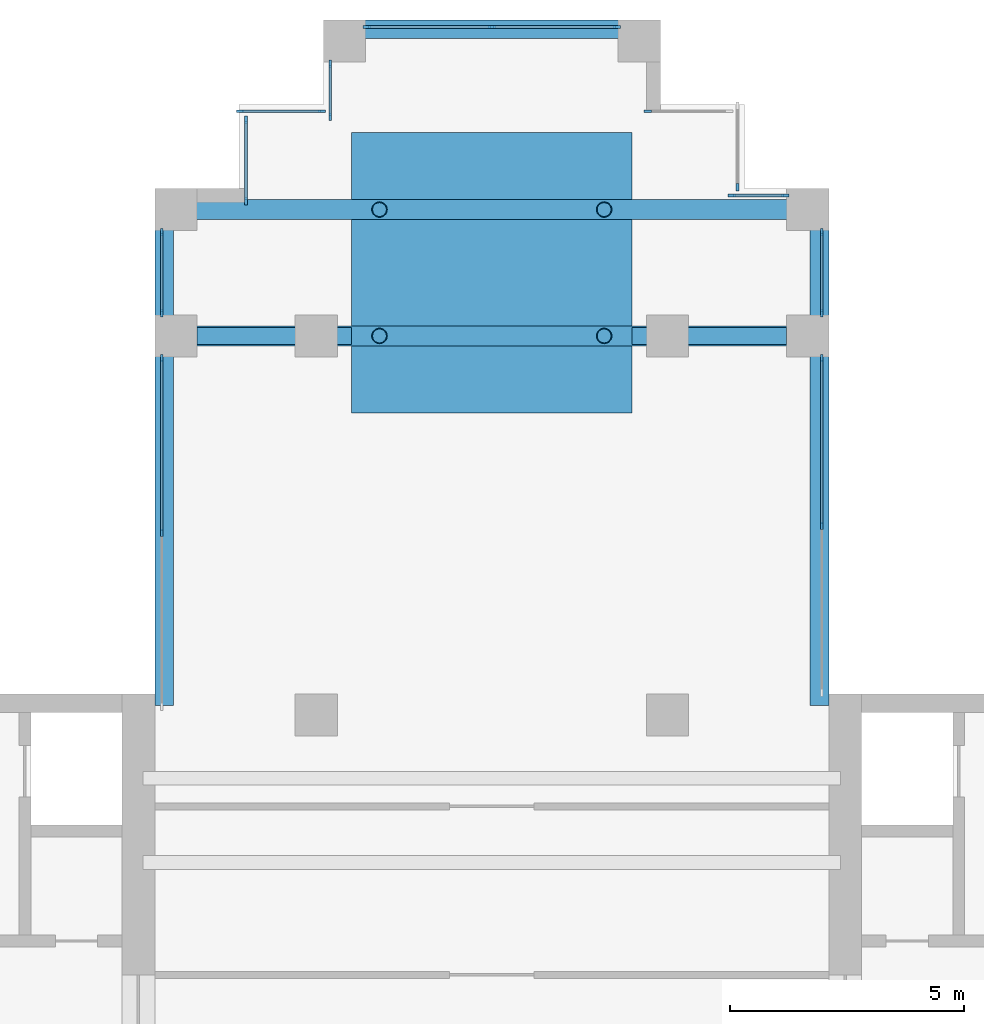
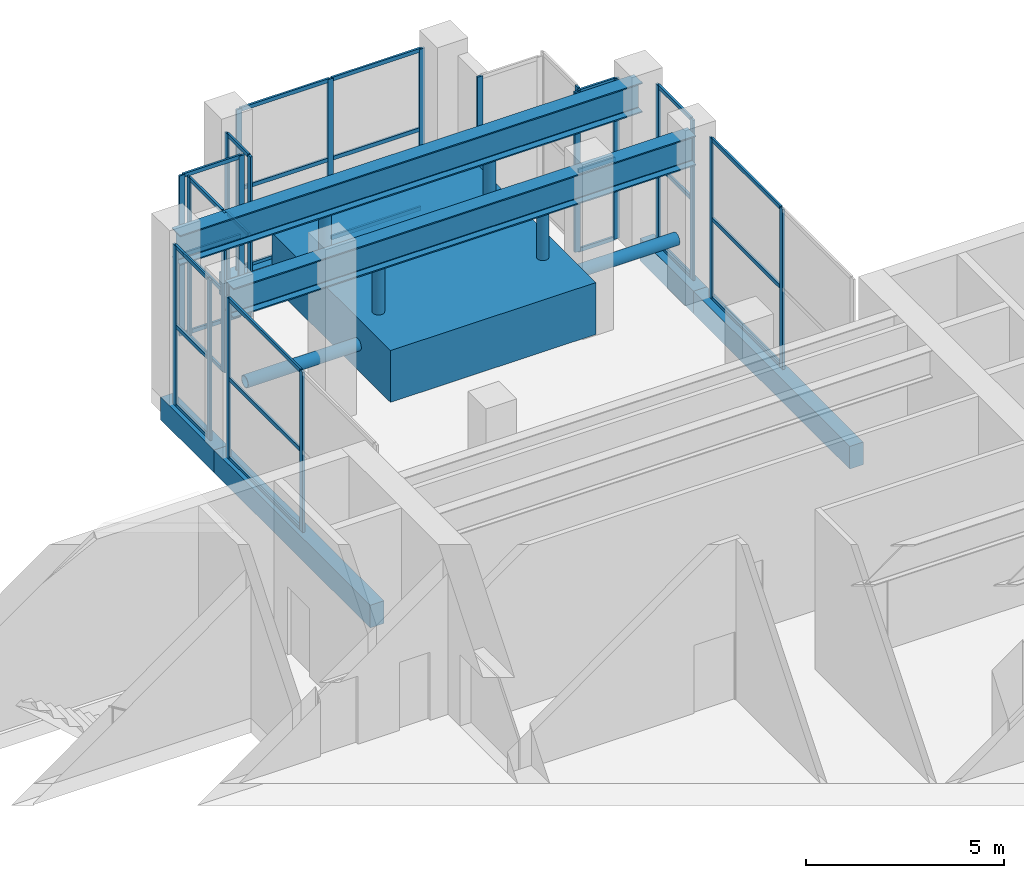
# One storey, part 6 of 13: 58 members, 7 beams, 11 elements without a shape of their own.
"""IFC4 building model written with IfcOpenShell, lengths in metres."""

from ifc_helpers import new_model, si_unit, direction, frame, origin, origin_2d, place, context, subcontext, project, spatial, rectangle, hollow_circle, i_section, extrude, material, material_profile, profile_set, type_object, element, aggregate, save


model = new_model("IFC4")

# Units and contexts
model_context = context("Model", 3, precision=1e-05, world=origin(), true_north=direction((0.0, 1.0)))
body_context = subcontext(model_context, "Body", "Model", "MODEL_VIEW")
ifc_project = project(units=[si_unit("LENGTHUNIT", "METRE"), si_unit("AREAUNIT", "SQUARE_METRE"), si_unit("VOLUMEUNIT", "CUBIC_METRE"), si_unit("PLANEANGLEUNIT", "RADIAN"), si_unit("MASSUNIT", "GRAM", prefix="KILO")], contexts=[model_context])

# Site, building, storey
site_placement = place(None, origin())
site = spatial("IfcSite", under=ifc_project, at=site_placement, CompositionType="ELEMENT")
building_placement = place(site_placement, origin())
building = spatial("IfcBuilding", under=site, at=building_placement, Name="Fustian Cross Tower", CompositionType="ELEMENT")
storey_placement = place(building_placement, frame((0.0, 0.0, 242.10009765625)))
storey = spatial("IfcBuildingStorey", under=building, at=storey_placement, Name="L76", CompositionType="ELEMENT", Elevation=242.10009765625)

# Curtain wall, members
ifc_material_1 = material(Name="Glass", Category="glass")
curtain_wall_type = type_object("IfcCurtainWallType", Name="CW5 CURTAIN WALL", PredefinedType="NOTDEFINED", material=ifc_material_1)
curtain_wall_1_placement = place(storey_placement, origin())
curtain_wall_1 = element("IfcCurtainWall", 1, at=curtain_wall_1_placement, inside=storey, type_object=curtain_wall_type, Name="Curtain wall CW5", PredefinedType="NOTDEFINED")
ifc_material_2 = material(Name="Aluminium alloy 6063", Category="aluminium")
ifc_material_profile_1 = material_profile(ifc_material_2, rectangle(XDim=0.06005859375, YDim=0.159912109375, at=origin_2d()), Name="CW5 MULLION 60x160")
ifc_profile_set_1 = profile_set([ifc_material_profile_1], Name="Aluminium alloy 6063")
member_type_1 = type_object("IfcMemberType", Name="CW5 MULLION 60x160", PredefinedType="MULLION", material=ifc_profile_set_1)
member_1_placement = place(storey_placement, frame((7.050048828125, 10.800048828125, 0.0), z_axis=(0.0, 0.0, 1.0), x_axis=(-1.0, 0.0, 0.0)))
member_1 = element("IfcMember", 2, at=member_1_placement, type_object=member_type_1, Name="CW5 mullion 2", PredefinedType="MULLION", context=body_context, shape_type="SweptSolid", body=[
    extrude(rectangle(XDim=0.06005859375, YDim=0.159912109375, at=origin_2d()), origin(), (0.0, 0.0, 1.0), 4.949951171875),
])
member_2_placement = place(storey_placement, frame((7.050048828125, 14.3701171875, 0.0), z_axis=(0.0, 0.0, 1.0), x_axis=(-1.0, 0.0, 0.0)))
member_2 = element("IfcMember", 3, at=member_2_placement, type_object=member_type_1, Name="CW5 mullion 3", PredefinedType="MULLION", context=body_context, shape_type="SweptSolid", body=[
    extrude(rectangle(XDim=0.06005859375, YDim=0.159912109375, at=origin_2d()), origin(), (0.0, 0.0, 1.0), 4.949951171875),
])

curtain_wall_2_placement = place(storey_placement, origin())
curtain_wall_2 = element("IfcCurtainWall", 4, at=curtain_wall_2_placement, inside=storey, type_object=curtain_wall_type, Name="Curtain wall CW5", PredefinedType="NOTDEFINED")
member_3_placement = place(storey_placement, frame((7.050048828125, 15.330078125, 0.0), z_axis=(0.0, 0.0, 1.0), x_axis=(-1.0, 0.0, 0.0)))
member_3 = element("IfcMember", 5, at=member_3_placement, type_object=member_type_1, Name="CW5 mullion 1", PredefinedType="MULLION", context=body_context, shape_type="SweptSolid", body=[
    extrude(rectangle(XDim=0.06005859375, YDim=0.159912109375, at=origin_2d()), origin(), (0.0, 0.0, 1.0), 4.949951171875),
])
member_4_placement = place(storey_placement, frame((7.050048828125, 17.070068359375, 0.0), z_axis=(0.0, 0.0, 1.0), x_axis=(-1.0, 0.0, 0.0)))
member_4 = element("IfcMember", 6, at=member_4_placement, type_object=member_type_1, Name="CW5 mullion 2", PredefinedType="MULLION", context=body_context, shape_type="SweptSolid", body=[
    extrude(rectangle(XDim=0.06005859375, YDim=0.159912109375, at=origin_2d()), origin(), (0.0, 0.0, 1.0), 4.949951171875),
])

curtain_wall_3_placement = place(storey_placement, origin())
curtain_wall_3 = element("IfcCurtainWall", 7, at=curtain_wall_3_placement, inside=storey, type_object=curtain_wall_type, Name="Curtain wall CW5", PredefinedType="NOTDEFINED")
member_5_placement = place(storey_placement, frame((6.27001953125, 17.85009765625, 0.0), z_axis=(0.0, 0.0, 1.0), x_axis=(0.0, -1.0, 0.0)))
member_5 = element("IfcMember", 8, at=member_5_placement, type_object=member_type_1, Name="CW5 mullion 1", PredefinedType="MULLION", context=body_context, shape_type="SweptSolid", body=[
    extrude(rectangle(XDim=0.06005859375, YDim=0.159912109375, at=origin_2d()), origin(), (0.0, 0.0, 1.0), 4.949951171875),
])
member_6_placement = place(storey_placement, frame((5.1298828125, 17.85009765625, 0.0), z_axis=(0.0, 0.0, 1.0), x_axis=(0.0, -1.0, 0.0)))
member_6 = element("IfcMember", 9, at=member_6_placement, type_object=member_type_1, Name="CW5 mullion 2", PredefinedType="MULLION", context=body_context, shape_type="SweptSolid", body=[
    extrude(rectangle(XDim=0.06005859375, YDim=0.159912109375, at=origin_2d()), origin(), (0.0, 0.0, 1.0), 4.949951171875),
])

# Curtain wall, member
curtain_wall_4_placement = place(storey_placement, origin())
curtain_wall_4 = element("IfcCurtainWall", 10, at=curtain_wall_4_placement, inside=storey, type_object=curtain_wall_type, Name="Curtain wall CW5", PredefinedType="NOTDEFINED")
member_7_placement = place(storey_placement, frame((5.25, 18.030029296875, 0.0), z_axis=(0.0, 0.0, 1.0), x_axis=(-1.0, 0.0, 0.0)))
member_7 = element("IfcMember", 11, at=member_7_placement, type_object=member_type_1, Name="CW5 mullion 1", PredefinedType="MULLION", context=body_context, shape_type="SweptSolid", body=[
    extrude(rectangle(XDim=0.06005859375, YDim=0.159912109375, at=origin_2d()), origin(), (0.0, 0.0, 1.0), 4.949951171875),
])
aggregate(curtain_wall_4, [member_7])

curtain_wall_5_placement = place(storey_placement, origin())
curtain_wall_5 = element("IfcCurtainWall", 12, at=curtain_wall_5_placement, inside=storey, type_object=curtain_wall_type, Name="Curtain wall CW5", PredefinedType="NOTDEFINED")
member_8_placement = place(storey_placement, frame((3.330078125, 19.64990234375, 0.0), z_axis=(0.0, 0.0, 1.0), x_axis=(0.0, -1.0, 0.0)))
member_8 = element("IfcMember", 13, at=member_8_placement, type_object=member_type_1, Name="CW5 mullion 2", PredefinedType="MULLION", context=body_context, shape_type="SweptSolid", body=[
    extrude(rectangle(XDim=0.06005859375, YDim=0.159912109375, at=origin_2d()), origin(), (0.0, 0.0, 1.0), 4.949951171875),
])
aggregate(curtain_wall_5, [member_8])

# Curtain wall, members
curtain_wall_6_placement = place(storey_placement, origin())
curtain_wall_6 = element("IfcCurtainWall", 14, at=curtain_wall_6_placement, inside=storey, type_object=curtain_wall_type, Name="Curtain wall CW5", PredefinedType="NOTDEFINED")
member_9_placement = place(storey_placement, frame((2.669921875, 21.449951171875, 0.0), z_axis=(0.0, 0.0, 1.0), x_axis=(0.0, -1.0, 0.0)))
member_9 = element("IfcMember", 15, at=member_9_placement, type_object=member_type_1, Name="CW5 mullion 1", PredefinedType="MULLION", context=body_context, shape_type="SweptSolid", body=[
    extrude(rectangle(XDim=0.06005859375, YDim=0.159912109375, at=origin_2d()), origin(), (0.0, 0.0, 1.0), 4.949951171875),
])
member_10_placement = place(storey_placement, frame((0.0, 21.449951171875, 0.0), z_axis=(0.0, 0.0, 1.0), x_axis=(0.0, -1.0, 0.0)))
member_10 = element("IfcMember", 16, at=member_10_placement, type_object=member_type_1, Name="CW5 mullion 2", PredefinedType="MULLION", context=body_context, shape_type="SweptSolid", body=[
    extrude(rectangle(XDim=0.06005859375, YDim=0.159912109375, at=origin_2d()), origin(), (0.0, 0.0, 1.0), 4.949951171875),
])
member_11_placement = place(storey_placement, frame((-2.669921875, 21.449951171875, 0.0), z_axis=(0.0, 0.0, 1.0), x_axis=(0.0, -1.0, 0.0)))
member_11 = element("IfcMember", 17, at=member_11_placement, type_object=member_type_1, Name="CW5 mullion 3", PredefinedType="MULLION", context=body_context, shape_type="SweptSolid", body=[
    extrude(rectangle(XDim=0.06005859375, YDim=0.159912109375, at=origin_2d()), origin(), (0.0, 0.0, 1.0), 4.949951171875),
])

curtain_wall_7_placement = place(storey_placement, origin())
curtain_wall_7 = element("IfcCurtainWall", 18, at=curtain_wall_7_placement, inside=storey, type_object=curtain_wall_type, Name="Curtain wall CW5", PredefinedType="NOTDEFINED")
member_12_placement = place(storey_placement, frame((-3.449951171875, 20.669921875, 0.0), z_axis=(0.0, 0.0, 1.0), x_axis=(1.0, 0.0, 0.0)))
member_12 = element("IfcMember", 19, at=member_12_placement, type_object=member_type_1, Name="CW5 mullion 1", PredefinedType="MULLION", context=body_context, shape_type="SweptSolid", body=[
    extrude(rectangle(XDim=0.06005859375, YDim=0.159912109375, at=origin_2d()), origin(), (0.0, 0.0, 1.0), 4.949951171875),
])
member_13_placement = place(storey_placement, frame((-3.449951171875, 19.530029296875, 0.0), z_axis=(0.0, 0.0, 1.0), x_axis=(1.0, 0.0, 0.0)))
member_13 = element("IfcMember", 20, at=member_13_placement, type_object=member_type_1, Name="CW5 mullion 2", PredefinedType="MULLION", context=body_context, shape_type="SweptSolid", body=[
    extrude(rectangle(XDim=0.06005859375, YDim=0.159912109375, at=origin_2d()), origin(), (0.0, 0.0, 1.0), 4.949951171875),
])

curtain_wall_8_placement = place(storey_placement, origin())
curtain_wall_8 = element("IfcCurtainWall", 21, at=curtain_wall_8_placement, inside=storey, type_object=curtain_wall_type, Name="Curtain wall CW5", PredefinedType="NOTDEFINED")
member_14_placement = place(storey_placement, frame((-3.6298828125, 19.64990234375, 0.0), z_axis=(0.0, 0.0, 1.0), x_axis=(0.0, -1.0, 0.0)))
member_14 = element("IfcMember", 22, at=member_14_placement, type_object=member_type_1, Name="CW5 mullion 1", PredefinedType="MULLION", context=body_context, shape_type="SweptSolid", body=[
    extrude(rectangle(XDim=0.06005859375, YDim=0.159912109375, at=origin_2d()), origin(), (0.0, 0.0, 1.0), 4.949951171875),
])
member_15_placement = place(storey_placement, frame((-5.3701171875, 19.64990234375, 0.0), z_axis=(0.0, 0.0, 1.0), x_axis=(0.0, -1.0, 0.0)))
member_15 = element("IfcMember", 23, at=member_15_placement, type_object=member_type_1, Name="CW5 mullion 2", PredefinedType="MULLION", context=body_context, shape_type="SweptSolid", body=[
    extrude(rectangle(XDim=0.06005859375, YDim=0.159912109375, at=origin_2d()), origin(), (0.0, 0.0, 1.0), 4.949951171875),
])

curtain_wall_9_placement = place(storey_placement, origin())
curtain_wall_9 = element("IfcCurtainWall", 24, at=curtain_wall_9_placement, inside=storey, type_object=curtain_wall_type, Name="Curtain wall CW5", PredefinedType="NOTDEFINED")
member_16_placement = place(storey_placement, frame((-5.25, 19.469970703125, 0.0), z_axis=(0.0, 0.0, 1.0), x_axis=(1.0, 0.0, 0.0)))
member_16 = element("IfcMember", 25, at=member_16_placement, type_object=member_type_1, Name="CW5 mullion 1", PredefinedType="MULLION", context=body_context, shape_type="SweptSolid", body=[
    extrude(rectangle(XDim=0.06005859375, YDim=0.159912109375, at=origin_2d()), origin(), (0.0, 0.0, 1.0), 4.949951171875),
])
member_17_placement = place(storey_placement, frame((-5.25, 17.72998046875, 0.0), z_axis=(0.0, 0.0, 1.0), x_axis=(1.0, 0.0, 0.0)))
member_17 = element("IfcMember", 26, at=member_17_placement, type_object=member_type_1, Name="CW5 mullion 2", PredefinedType="MULLION", context=body_context, shape_type="SweptSolid", body=[
    extrude(rectangle(XDim=0.06005859375, YDim=0.159912109375, at=origin_2d()), origin(), (0.0, 0.0, 1.0), 4.949951171875),
])

curtain_wall_10_placement = place(storey_placement, origin())
curtain_wall_10 = element("IfcCurtainWall", 27, at=curtain_wall_10_placement, inside=storey, type_object=curtain_wall_type, Name="Curtain wall CW5", PredefinedType="NOTDEFINED")
member_18_placement = place(storey_placement, frame((-7.050048828125, 17.070068359375, 0.0), z_axis=(0.0, 0.0, 1.0), x_axis=(1.0, 0.0, 0.0)))
member_18 = element("IfcMember", 28, at=member_18_placement, type_object=member_type_1, Name="CW5 mullion 1", PredefinedType="MULLION", context=body_context, shape_type="SweptSolid", body=[
    extrude(rectangle(XDim=0.06005859375, YDim=0.159912109375, at=origin_2d()), origin(), (0.0, 0.0, 1.0), 4.949951171875),
])
member_19_placement = place(storey_placement, frame((-7.050048828125, 15.330078125, 0.0), z_axis=(0.0, 0.0, 1.0), x_axis=(1.0, 0.0, 0.0)))
member_19 = element("IfcMember", 29, at=member_19_placement, type_object=member_type_1, Name="CW5 mullion 2", PredefinedType="MULLION", context=body_context, shape_type="SweptSolid", body=[
    extrude(rectangle(XDim=0.06005859375, YDim=0.159912109375, at=origin_2d()), origin(), (0.0, 0.0, 1.0), 4.949951171875),
])

curtain_wall_11_placement = place(storey_placement, origin())
curtain_wall_11 = element("IfcCurtainWall", 30, at=curtain_wall_11_placement, inside=storey, type_object=curtain_wall_type, Name="Curtain wall CW5", PredefinedType="NOTDEFINED")
member_20_placement = place(storey_placement, frame((-7.050048828125, 14.3701171875, 0.0), z_axis=(0.0, 0.0, 1.0), x_axis=(1.0, 0.0, 0.0)))
member_20 = element("IfcMember", 31, at=member_20_placement, type_object=member_type_1, Name="CW5 mullion 1", PredefinedType="MULLION", context=body_context, shape_type="SweptSolid", body=[
    extrude(rectangle(XDim=0.06005859375, YDim=0.159912109375, at=origin_2d()), origin(), (0.0, 0.0, 1.0), 4.949951171875),
])
member_21_placement = place(storey_placement, frame((-7.050048828125, 10.64990234375, 0.0), z_axis=(0.0, 0.0, 1.0), x_axis=(1.0, 0.0, 0.0)))
member_21 = element("IfcMember", 32, at=member_21_placement, type_object=member_type_1, Name="CW5 mullion 2", PredefinedType="MULLION", context=body_context, shape_type="SweptSolid", body=[
    extrude(rectangle(XDim=0.06005859375, YDim=0.159912109375, at=origin_2d()), origin(), (0.0, 0.0, 1.0), 4.949951171875),
])

# Member
ifc_material_3 = material(Name="Aluminium alloy 6063", Category="aluminium")
ifc_material_profile_2 = material_profile(ifc_material_3, rectangle(XDim=0.06005859375, YDim=0.1201171875, at=origin_2d()), Name="CW5 TRANSOM 60x120")
ifc_profile_set_2 = profile_set([ifc_material_profile_2], Name="Aluminium alloy 6063")
member_type_2 = type_object("IfcMemberType", Name="CW5 TRANSOM 60x120", PredefinedType="USERDEFINED", material=ifc_profile_set_2)
member_22_placement = place(storey_placement, frame((7.050048828125, 10.830078125, 0.02978515625), z_axis=(0.0, 1.0, 0.0), x_axis=(-1.0, 0.0, 0.0)))
member_22 = element("IfcMember", 33, at=member_22_placement, type_object=member_type_2, Name="CW5 transom 2.1", ObjectType="TRANSOM", PredefinedType="USERDEFINED", context=body_context, shape_type="SweptSolid", body=[
    extrude(rectangle(XDim=0.06005859375, YDim=0.1201171875, at=origin_2d()), origin(), (0.0, 0.0, 1.0), 3.510009765625),
])

member_23_placement = place(storey_placement, frame((7.050048828125, 10.830078125, 2.474853515625), z_axis=(0.0, 1.0, 0.0), x_axis=(-1.0, 0.0, 0.0)))
member_23 = element("IfcMember", 34, at=member_23_placement, type_object=member_type_2, Name="CW5 transom 2.2", ObjectType="TRANSOM", PredefinedType="USERDEFINED", context=body_context, shape_type="SweptSolid", body=[
    extrude(rectangle(XDim=0.06005859375, YDim=0.1201171875, at=origin_2d()), origin(), (0.0, 0.0, 1.0), 3.510009765625),
])

member_24_placement = place(storey_placement, frame((7.050048828125, 10.830078125, 4.919921875), z_axis=(0.0, 1.0, 0.0), x_axis=(-1.0, 0.0, 0.0)))
member_24 = element("IfcMember", 35, at=member_24_placement, type_object=member_type_2, Name="CW5 transom 2.3", ObjectType="TRANSOM", PredefinedType="USERDEFINED", context=body_context, shape_type="SweptSolid", body=[
    extrude(rectangle(XDim=0.06005859375, YDim=0.1201171875, at=origin_2d()), origin(), (0.0, 0.0, 1.0), 3.510009765625),
])

aggregate(curtain_wall_1, [member_1, member_2, member_22, member_23, member_24])

member_25_placement = place(storey_placement, frame((7.050048828125, 15.360107421875, 0.02978515625), z_axis=(0.0, 1.0, 0.0), x_axis=(-1.0, 0.0, 0.0)))
member_25 = element("IfcMember", 36, at=member_25_placement, type_object=member_type_2, Name="CW5 transom 1.1", ObjectType="TRANSOM", PredefinedType="USERDEFINED", context=body_context, shape_type="SweptSolid", body=[
    extrude(rectangle(XDim=0.06005859375, YDim=0.1201171875, at=origin_2d()), origin(), (0.0, 0.0, 1.0), 1.679931640625),
])

member_26_placement = place(storey_placement, frame((7.050048828125, 15.360107421875, 2.474853515625), z_axis=(0.0, 1.0, 0.0), x_axis=(-1.0, 0.0, 0.0)))
member_26 = element("IfcMember", 37, at=member_26_placement, type_object=member_type_2, Name="CW5 transom 1.2", ObjectType="TRANSOM", PredefinedType="USERDEFINED", context=body_context, shape_type="SweptSolid", body=[
    extrude(rectangle(XDim=0.06005859375, YDim=0.1201171875, at=origin_2d()), origin(), (0.0, 0.0, 1.0), 1.679931640625),
])

member_27_placement = place(storey_placement, frame((7.050048828125, 15.360107421875, 4.919921875), z_axis=(0.0, 1.0, 0.0), x_axis=(-1.0, 0.0, 0.0)))
member_27 = element("IfcMember", 38, at=member_27_placement, type_object=member_type_2, Name="CW5 transom 1.3", ObjectType="TRANSOM", PredefinedType="USERDEFINED", context=body_context, shape_type="SweptSolid", body=[
    extrude(rectangle(XDim=0.06005859375, YDim=0.1201171875, at=origin_2d()), origin(), (0.0, 0.0, 1.0), 1.679931640625),
])

aggregate(curtain_wall_2, [member_3, member_4, member_25, member_26, member_27])

member_28_placement = place(storey_placement, frame((6.239990234375, 17.85009765625, 0.02978515625), z_axis=(-1.0, 0.0, 0.0), x_axis=(0.0, -1.0, 0.0)))
member_28 = element("IfcMember", 39, at=member_28_placement, type_object=member_type_2, Name="CW5 transom 1.1", ObjectType="TRANSOM", PredefinedType="USERDEFINED", context=body_context, shape_type="SweptSolid", body=[
    extrude(rectangle(XDim=0.06005859375, YDim=0.1201171875, at=origin_2d()), origin(), (0.0, 0.0, 1.0), 1.080078125),
])

member_29_placement = place(storey_placement, frame((6.239990234375, 17.85009765625, 2.474853515625), z_axis=(-1.0, 0.0, 0.0), x_axis=(0.0, -1.0, 0.0)))
member_29 = element("IfcMember", 40, at=member_29_placement, type_object=member_type_2, Name="CW5 transom 1.2", ObjectType="TRANSOM", PredefinedType="USERDEFINED", context=body_context, shape_type="SweptSolid", body=[
    extrude(rectangle(XDim=0.06005859375, YDim=0.1201171875, at=origin_2d()), origin(), (0.0, 0.0, 1.0), 1.080078125),
])

member_30_placement = place(storey_placement, frame((6.239990234375, 17.85009765625, 4.919921875), z_axis=(-1.0, 0.0, 0.0), x_axis=(0.0, -1.0, 0.0)))
member_30 = element("IfcMember", 41, at=member_30_placement, type_object=member_type_2, Name="CW5 transom 1.3", ObjectType="TRANSOM", PredefinedType="USERDEFINED", context=body_context, shape_type="SweptSolid", body=[
    extrude(rectangle(XDim=0.06005859375, YDim=0.1201171875, at=origin_2d()), origin(), (0.0, 0.0, 1.0), 1.080078125),
])

aggregate(curtain_wall_3, [member_5, member_6, member_28, member_29, member_30])

member_31_placement = place(storey_placement, frame((2.639892578125, 21.449951171875, 0.02978515625), z_axis=(-1.0, 0.0, 0.0), x_axis=(0.0, -1.0, 0.0)))
member_31 = element("IfcMember", 42, at=member_31_placement, type_object=member_type_2, Name="CW5 transom 1.1", ObjectType="TRANSOM", PredefinedType="USERDEFINED", context=body_context, shape_type="SweptSolid", body=[
    extrude(rectangle(XDim=0.06005859375, YDim=0.1201171875, at=origin_2d()), origin(), (0.0, 0.0, 1.0), 2.60986328125),
])

member_32_placement = place(storey_placement, frame((2.639892578125, 21.449951171875, 2.474853515625), z_axis=(-1.0, 0.0, 0.0), x_axis=(0.0, -1.0, 0.0)))
member_32 = element("IfcMember", 43, at=member_32_placement, type_object=member_type_2, Name="CW5 transom 1.2", ObjectType="TRANSOM", PredefinedType="USERDEFINED", context=body_context, shape_type="SweptSolid", body=[
    extrude(rectangle(XDim=0.06005859375, YDim=0.1201171875, at=origin_2d()), origin(), (0.0, 0.0, 1.0), 2.60986328125),
])

member_33_placement = place(storey_placement, frame((2.639892578125, 21.449951171875, 4.919921875), z_axis=(-1.0, 0.0, 0.0), x_axis=(0.0, -1.0, 0.0)))
member_33 = element("IfcMember", 44, at=member_33_placement, type_object=member_type_2, Name="CW5 transom 1.3", ObjectType="TRANSOM", PredefinedType="USERDEFINED", context=body_context, shape_type="SweptSolid", body=[
    extrude(rectangle(XDim=0.06005859375, YDim=0.1201171875, at=origin_2d()), origin(), (0.0, 0.0, 1.0), 2.60986328125),
])

member_34_placement = place(storey_placement, frame((-0.030029296875, 21.449951171875, 0.02978515625), z_axis=(-1.0, 0.0, 0.0), x_axis=(0.0, -1.0, 0.0)))
member_34 = element("IfcMember", 45, at=member_34_placement, type_object=member_type_2, Name="CW5 transom 2.1", ObjectType="TRANSOM", PredefinedType="USERDEFINED", context=body_context, shape_type="SweptSolid", body=[
    extrude(rectangle(XDim=0.06005859375, YDim=0.1201171875, at=origin_2d()), origin(), (0.0, 0.0, 1.0), 2.60986328125),
])

member_35_placement = place(storey_placement, frame((-0.030029296875, 21.449951171875, 2.474853515625), z_axis=(-1.0, 0.0, 0.0), x_axis=(0.0, -1.0, 0.0)))
member_35 = element("IfcMember", 46, at=member_35_placement, type_object=member_type_2, Name="CW5 transom 2.2", ObjectType="TRANSOM", PredefinedType="USERDEFINED", context=body_context, shape_type="SweptSolid", body=[
    extrude(rectangle(XDim=0.06005859375, YDim=0.1201171875, at=origin_2d()), origin(), (0.0, 0.0, 1.0), 2.60986328125),
])

member_36_placement = place(storey_placement, frame((-0.030029296875, 21.449951171875, 4.919921875), z_axis=(-1.0, 0.0, 0.0), x_axis=(0.0, -1.0, 0.0)))
member_36 = element("IfcMember", 47, at=member_36_placement, type_object=member_type_2, Name="CW5 transom 2.3", ObjectType="TRANSOM", PredefinedType="USERDEFINED", context=body_context, shape_type="SweptSolid", body=[
    extrude(rectangle(XDim=0.06005859375, YDim=0.1201171875, at=origin_2d()), origin(), (0.0, 0.0, 1.0), 2.60986328125),
])

aggregate(curtain_wall_6, [member_9, member_10, member_11, member_31, member_32, member_33, member_34, member_35, member_36])

member_37_placement = place(storey_placement, frame((-3.449951171875, 20.639892578125, 0.02978515625), z_axis=(0.0, -1.0, 0.0), x_axis=(1.0, 0.0, 0.0)))
member_37 = element("IfcMember", 48, at=member_37_placement, type_object=member_type_2, Name="CW5 transom 1.1", ObjectType="TRANSOM", PredefinedType="USERDEFINED", context=body_context, shape_type="SweptSolid", body=[
    extrude(rectangle(XDim=0.06005859375, YDim=0.1201171875, at=origin_2d()), origin(), (0.0, 0.0, 1.0), 1.079833984375),
])

member_38_placement = place(storey_placement, frame((-3.449951171875, 20.639892578125, 2.474853515625), z_axis=(0.0, -1.0, 0.0), x_axis=(1.0, 0.0, 0.0)))
member_38 = element("IfcMember", 49, at=member_38_placement, type_object=member_type_2, Name="CW5 transom 1.2", ObjectType="TRANSOM", PredefinedType="USERDEFINED", context=body_context, shape_type="SweptSolid", body=[
    extrude(rectangle(XDim=0.06005859375, YDim=0.1201171875, at=origin_2d()), origin(), (0.0, 0.0, 1.0), 1.079833984375),
])

member_39_placement = place(storey_placement, frame((-3.449951171875, 20.639892578125, 4.919921875), z_axis=(0.0, -1.0, 0.0), x_axis=(1.0, 0.0, 0.0)))
member_39 = element("IfcMember", 50, at=member_39_placement, type_object=member_type_2, Name="CW5 transom 1.3", ObjectType="TRANSOM", PredefinedType="USERDEFINED", context=body_context, shape_type="SweptSolid", body=[
    extrude(rectangle(XDim=0.06005859375, YDim=0.1201171875, at=origin_2d()), origin(), (0.0, 0.0, 1.0), 1.079833984375),
])

aggregate(curtain_wall_7, [member_12, member_13, member_37, member_38, member_39])

member_40_placement = place(storey_placement, frame((-3.659912109375, 19.64990234375, 0.02978515625), z_axis=(-1.0, 0.0, 0.0), x_axis=(0.0, -1.0, 0.0)))
member_40 = element("IfcMember", 51, at=member_40_placement, type_object=member_type_2, Name="CW5 transom 1.1", ObjectType="TRANSOM", PredefinedType="USERDEFINED", context=body_context, shape_type="SweptSolid", body=[
    extrude(rectangle(XDim=0.06005859375, YDim=0.1201171875, at=origin_2d()), origin(), (0.0, 0.0, 1.0), 1.68017578125),
])

member_41_placement = place(storey_placement, frame((-3.659912109375, 19.64990234375, 2.474853515625), z_axis=(-1.0, 0.0, 0.0), x_axis=(0.0, -1.0, 0.0)))
member_41 = element("IfcMember", 52, at=member_41_placement, type_object=member_type_2, Name="CW5 transom 1.2", ObjectType="TRANSOM", PredefinedType="USERDEFINED", context=body_context, shape_type="SweptSolid", body=[
    extrude(rectangle(XDim=0.06005859375, YDim=0.1201171875, at=origin_2d()), origin(), (0.0, 0.0, 1.0), 1.68017578125),
])

member_42_placement = place(storey_placement, frame((-3.659912109375, 19.64990234375, 4.919921875), z_axis=(-1.0, 0.0, 0.0), x_axis=(0.0, -1.0, 0.0)))
member_42 = element("IfcMember", 53, at=member_42_placement, type_object=member_type_2, Name="CW5 transom 1.3", ObjectType="TRANSOM", PredefinedType="USERDEFINED", context=body_context, shape_type="SweptSolid", body=[
    extrude(rectangle(XDim=0.06005859375, YDim=0.1201171875, at=origin_2d()), origin(), (0.0, 0.0, 1.0), 1.68017578125),
])

aggregate(curtain_wall_8, [member_14, member_15, member_40, member_41, member_42])

member_43_placement = place(storey_placement, frame((-5.25, 19.43994140625, 0.02978515625), z_axis=(0.0, -1.0, 0.0), x_axis=(1.0, 0.0, 0.0)))
member_43 = element("IfcMember", 54, at=member_43_placement, type_object=member_type_2, Name="CW5 transom 1.1", ObjectType="TRANSOM", PredefinedType="USERDEFINED", context=body_context, shape_type="SweptSolid", body=[
    extrude(rectangle(XDim=0.06005859375, YDim=0.1201171875, at=origin_2d()), origin(), (0.0, 0.0, 1.0), 1.679931640625),
])

member_44_placement = place(storey_placement, frame((-5.25, 19.43994140625, 2.474853515625), z_axis=(0.0, -1.0, 0.0), x_axis=(1.0, 0.0, 0.0)))
member_44 = element("IfcMember", 55, at=member_44_placement, type_object=member_type_2, Name="CW5 transom 1.2", ObjectType="TRANSOM", PredefinedType="USERDEFINED", context=body_context, shape_type="SweptSolid", body=[
    extrude(rectangle(XDim=0.06005859375, YDim=0.1201171875, at=origin_2d()), origin(), (0.0, 0.0, 1.0), 1.679931640625),
])

member_45_placement = place(storey_placement, frame((-5.25, 19.43994140625, 4.919921875), z_axis=(0.0, -1.0, 0.0), x_axis=(1.0, 0.0, 0.0)))
member_45 = element("IfcMember", 56, at=member_45_placement, type_object=member_type_2, Name="CW5 transom 1.3", ObjectType="TRANSOM", PredefinedType="USERDEFINED", context=body_context, shape_type="SweptSolid", body=[
    extrude(rectangle(XDim=0.06005859375, YDim=0.1201171875, at=origin_2d()), origin(), (0.0, 0.0, 1.0), 1.679931640625),
])

aggregate(curtain_wall_9, [member_16, member_17, member_43, member_44, member_45])

member_46_placement = place(storey_placement, frame((-7.050048828125, 17.0400390625, 0.02978515625), z_axis=(0.0, -1.0, 0.0), x_axis=(1.0, 0.0, 0.0)))
member_46 = element("IfcMember", 57, at=member_46_placement, type_object=member_type_2, Name="CW5 transom 1.1", ObjectType="TRANSOM", PredefinedType="USERDEFINED", context=body_context, shape_type="SweptSolid", body=[
    extrude(rectangle(XDim=0.06005859375, YDim=0.1201171875, at=origin_2d()), origin(), (0.0, 0.0, 1.0), 1.679931640625),
])

member_47_placement = place(storey_placement, frame((-7.050048828125, 17.0400390625, 2.474853515625), z_axis=(0.0, -1.0, 0.0), x_axis=(1.0, 0.0, 0.0)))
member_47 = element("IfcMember", 58, at=member_47_placement, type_object=member_type_2, Name="CW5 transom 1.2", ObjectType="TRANSOM", PredefinedType="USERDEFINED", context=body_context, shape_type="SweptSolid", body=[
    extrude(rectangle(XDim=0.06005859375, YDim=0.1201171875, at=origin_2d()), origin(), (0.0, 0.0, 1.0), 1.679931640625),
])

member_48_placement = place(storey_placement, frame((-7.050048828125, 17.0400390625, 4.919921875), z_axis=(0.0, -1.0, 0.0), x_axis=(1.0, 0.0, 0.0)))
member_48 = element("IfcMember", 59, at=member_48_placement, type_object=member_type_2, Name="CW5 transom 1.3", ObjectType="TRANSOM", PredefinedType="USERDEFINED", context=body_context, shape_type="SweptSolid", body=[
    extrude(rectangle(XDim=0.06005859375, YDim=0.1201171875, at=origin_2d()), origin(), (0.0, 0.0, 1.0), 1.679931640625),
])

aggregate(curtain_wall_10, [member_18, member_19, member_46, member_47, member_48])

member_49_placement = place(storey_placement, frame((-7.050048828125, 14.340087890625, 0.02978515625), z_axis=(0.0, -1.0, 0.0), x_axis=(1.0, 0.0, 0.0)))
member_49 = element("IfcMember", 60, at=member_49_placement, type_object=member_type_2, Name="CW5 transom 1.1", ObjectType="TRANSOM", PredefinedType="USERDEFINED", context=body_context, shape_type="SweptSolid", body=[
    extrude(rectangle(XDim=0.06005859375, YDim=0.1201171875, at=origin_2d()), origin(), (0.0, 0.0, 1.0), 3.66015625),
])

member_50_placement = place(storey_placement, frame((-7.050048828125, 14.340087890625, 2.474853515625), z_axis=(0.0, -1.0, 0.0), x_axis=(1.0, 0.0, 0.0)))
member_50 = element("IfcMember", 61, at=member_50_placement, type_object=member_type_2, Name="CW5 transom 1.2", ObjectType="TRANSOM", PredefinedType="USERDEFINED", context=body_context, shape_type="SweptSolid", body=[
    extrude(rectangle(XDim=0.06005859375, YDim=0.1201171875, at=origin_2d()), origin(), (0.0, 0.0, 1.0), 3.66015625),
])

member_51_placement = place(storey_placement, frame((-7.050048828125, 14.340087890625, 4.919921875), z_axis=(0.0, -1.0, 0.0), x_axis=(1.0, 0.0, 0.0)))
member_51 = element("IfcMember", 62, at=member_51_placement, type_object=member_type_2, Name="CW5 transom 1.3", ObjectType="TRANSOM", PredefinedType="USERDEFINED", context=body_context, shape_type="SweptSolid", body=[
    extrude(rectangle(XDim=0.06005859375, YDim=0.1201171875, at=origin_2d()), origin(), (0.0, 0.0, 1.0), 3.66015625),
])

aggregate(curtain_wall_11, [member_20, member_21, member_49, member_50, member_51])

# Members
ifc_material_4 = material(Name="Steel S355", Category="steel")
ifc_material_profile_3 = material_profile(ifc_material_4, hollow_circle(Radius=0.161865234375, WallThickness=0.010009765625, at=origin_2d()), Name="CHS 323.9x10")
ifc_profile_set_3 = profile_set([ifc_material_profile_3], Name="Steel S355")
member_type_3 = type_object("IfcMemberType", Name="DAMPER HANGER CHS 323.9x10 S355", PredefinedType="USERDEFINED", material=ifc_profile_set_3)
for number, where, z_axis, x_axis, name in (
    (63, (-2.39990234375, 14.85009765625, 2.599853515625), (0.0, 0.0, 1.0), (1.0, 0.0, 0.0), "HANGER 1"),
    (64, (2.39990234375, 14.85009765625, 2.599853515625), (0.0, 0.0, 1.0), (1.0, 0.0, 0.0), "HANGER 2"),
    (65, (-2.39990234375, 17.550048828125, 2.599853515625), (0.0, 0.0, 1.0), (1.0, 0.0, 0.0), "HANGER 3"),
    (66, (2.39990234375, 17.550048828125, 2.599853515625), (0.0, 0.0, 1.0), (1.0, 0.0, 0.0), "HANGER 4"),
):
    element("IfcMember", number, at=place(storey_placement, frame(where, z_axis=z_axis, x_axis=x_axis)), inside=storey, type_object=member_type_3, Name=name, ObjectType="HANGER", PredefinedType="USERDEFINED", context=body_context, shape_type="SweptSolid", body=[
        extrude(hollow_circle(Radius=0.161865234375, WallThickness=0.010009765625, at=origin_2d()), origin(), (0.0, 0.0, 1.0), 1.428955078125),
    ])

# Beams
ifc_material_5 = material(Name="Steel S355", Category="steel")
ifc_material_profile_4 = material_profile(ifc_material_5, i_section(OverallWidth=0.42041015625, OverallDepth=0.9208984375, WebThickness=0.021484375, FlangeThickness=0.03662109375, FilletRadius=0.024169921875, at=origin_2d()), Name="UB 914x419x388")
ifc_profile_set_4 = profile_set([ifc_material_profile_4], Name="Steel S355")
beam_type_1 = type_object("IfcBeamType", Name="DAMPER SUPPORT BEAM UB 914x419x388 S355", PredefinedType="BEAM", material=ifc_profile_set_4)
for number, where, z_axis, x_axis, name in (
    (67, (-6.75, 14.85009765625, 4.489501953125), (1.0, 0.0, 0.0), (0.0, 1.0, 0.0), "DAMPER SUPPORT BEAM 1"),
    (68, (-6.75, 17.550048828125, 4.489501953125), (1.0, 0.0, 0.0), (0.0, 1.0, 0.0), "DAMPER SUPPORT BEAM 2"),
):
    element("IfcBeam", number, at=place(storey_placement, frame(where, z_axis=z_axis, x_axis=x_axis)), inside=storey, type_object=beam_type_1, Name=name, PredefinedType="BEAM", context=body_context, shape_type="SweptSolid", body=[
        extrude(i_section(OverallWidth=0.42041015625, OverallDepth=0.9208984375, WebThickness=0.021484375, FlangeThickness=0.03662109375, FilletRadius=0.024169921875, at=origin_2d()), origin(), (0.0, 0.0, 1.0), 13.5),
    ])
ifc_material_6 = material(Name="Concrete C50/60", Category="concrete")
ifc_material_profile_5 = material_profile(ifc_material_6, rectangle(XDim=0.39990234375, YDim=0.699951171875, at=origin_2d()), Name="RC 400x700")
ifc_profile_set_5 = profile_set([ifc_material_profile_5], Name="Concrete C50/60")
beam_type_2 = type_object("IfcBeamType", Name="EDGE BEAM RC 400x700 C50/60", PredefinedType="SPANDREL", material=ifc_profile_set_5)
beam_1_placement = place(storey_placement, frame((7.0, 6.949951171875, -0.35009765625), z_axis=(0.0, 1.0, 0.0), x_axis=(-1.0, 0.0, 0.0)))
element("IfcBeam", 69, at=beam_1_placement, inside=storey, type_object=beam_type_2, Name="EDGE BEAM L76-04", PredefinedType="SPANDREL", context=body_context, shape_type="SweptSolid", body=[
    extrude(rectangle(XDim=0.39990234375, YDim=0.699951171875, at=origin_2d()), origin(), (0.0, 0.0, 1.0), 7.900146484375),
])
beam_2_placement = place(storey_placement, frame((7.0, 14.85009765625, -0.35009765625), z_axis=(0.0, 1.0, 0.0), x_axis=(-1.0, 0.0, 0.0)))
element("IfcBeam", 70, at=beam_2_placement, inside=storey, type_object=beam_type_2, Name="EDGE BEAM L76-05", PredefinedType="SPANDREL", context=body_context, shape_type="SweptSolid", body=[
    extrude(rectangle(XDim=0.39990234375, YDim=0.699951171875, at=origin_2d()), origin(), (0.0, 0.0, 1.0), 2.699951171875),
])
beam_3_placement = place(storey_placement, frame((3.14990234375, 21.39990234375, -0.35009765625), z_axis=(-1.0, 0.0, 0.0), x_axis=(0.0, -1.0, 0.0)))
element("IfcBeam", 71, at=beam_3_placement, inside=storey, type_object=beam_type_2, Name="EDGE BEAM L76-06", PredefinedType="SPANDREL", context=body_context, shape_type="SweptSolid", body=[
    extrude(rectangle(XDim=0.39990234375, YDim=0.699951171875, at=origin_2d()), origin(), (0.0, 0.0, 1.0), 6.2998046875),
])
beam_4_placement = place(storey_placement, frame((-7.0, 17.550048828125, -0.35009765625), z_axis=(0.0, -1.0, 0.0), x_axis=(1.0, 0.0, 0.0)))
element("IfcBeam", 72, at=beam_4_placement, inside=storey, type_object=beam_type_2, Name="EDGE BEAM L76-07", PredefinedType="SPANDREL", context=body_context, shape_type="SweptSolid", body=[
    extrude(rectangle(XDim=0.39990234375, YDim=0.699951171875, at=origin_2d()), origin(), (0.0, 0.0, 1.0), 2.699951171875),
])
beam_5_placement = place(storey_placement, frame((-7.0, 14.85009765625, -0.35009765625), z_axis=(0.0, -1.0, 0.0), x_axis=(1.0, 0.0, 0.0)))
element("IfcBeam", 73, at=beam_5_placement, inside=storey, type_object=beam_type_2, Name="EDGE BEAM L76-08", PredefinedType="SPANDREL", context=body_context, shape_type="SweptSolid", body=[
    extrude(rectangle(XDim=0.39990234375, YDim=0.699951171875, at=origin_2d()), origin(), (0.0, 0.0, 1.0), 7.900146484375),
])

# Members
ifc_material_7 = material(Name="Steel S355", Category="steel")
ifc_material_profile_6 = material_profile(ifc_material_7, rectangle(XDim=6.0, YDim=1.60009765625, at=origin_2d()), Name="TUNED MASS DAMPER 6000x1600")
ifc_profile_set_6 = profile_set([ifc_material_profile_6], Name="Steel S355")
member_type_4 = type_object("IfcMemberType", Name="TUNED MASS DAMPER 6000x1600", PredefinedType="USERDEFINED", material=ifc_profile_set_6)
member_52_placement = place(storey_placement, frame((0.0, 13.199951171875, 1.7998046875), z_axis=(0.0, 1.0, 0.0), x_axis=(-1.0, 0.0, 0.0)))
element("IfcMember", 74, at=member_52_placement, inside=storey, type_object=member_type_4, Name="TUNED MASS DAMPER", ObjectType="TUNED MASS DAMPER", PredefinedType="USERDEFINED", context=body_context, shape_type="SweptSolid", body=[
    extrude(rectangle(XDim=6.0, YDim=1.60009765625, at=origin_2d()), origin(), (0.0, 0.0, 1.0), 6.0),
])
ifc_material_8 = material(Name="Steel S355", Category="steel")
ifc_material_profile_7 = material_profile(ifc_material_8, hollow_circle(Radius=0.177978515625, WallThickness=0.01611328125, at=origin_2d()), Name="CHS 356x16")
ifc_profile_set_7 = profile_set([ifc_material_profile_7], Name="Steel S355")
member_type_5 = type_object("IfcMemberType", Name="VISCOUS DAMPER CHS 356x16 S355", PredefinedType="USERDEFINED", material=ifc_profile_set_7)
for number, where, z_axis, x_axis, name in (
    (75, (-6.300048828125, 14.85009765625, 1.7998046875), (1.0, 0.0, 0.0), (0.0, 1.0, 0.0), "VISCOUS DAMPER 1"),
    (76, (3.0, 14.85009765625, 1.7998046875), (1.0, 0.0, 0.0), (0.0, 1.0, 0.0), "VISCOUS DAMPER 2"),
):
    element("IfcMember", number, at=place(storey_placement, frame(where, z_axis=z_axis, x_axis=x_axis)), inside=storey, type_object=member_type_5, Name=name, ObjectType="VISCOUS DAMPER", PredefinedType="USERDEFINED", context=body_context, shape_type="SweptSolid", body=[
        extrude(hollow_circle(Radius=0.177978515625, WallThickness=0.01611328125, at=origin_2d()), origin(), (0.0, 0.0, 1.0), 3.300048828125),
    ])

save(model, "model.ifc")
